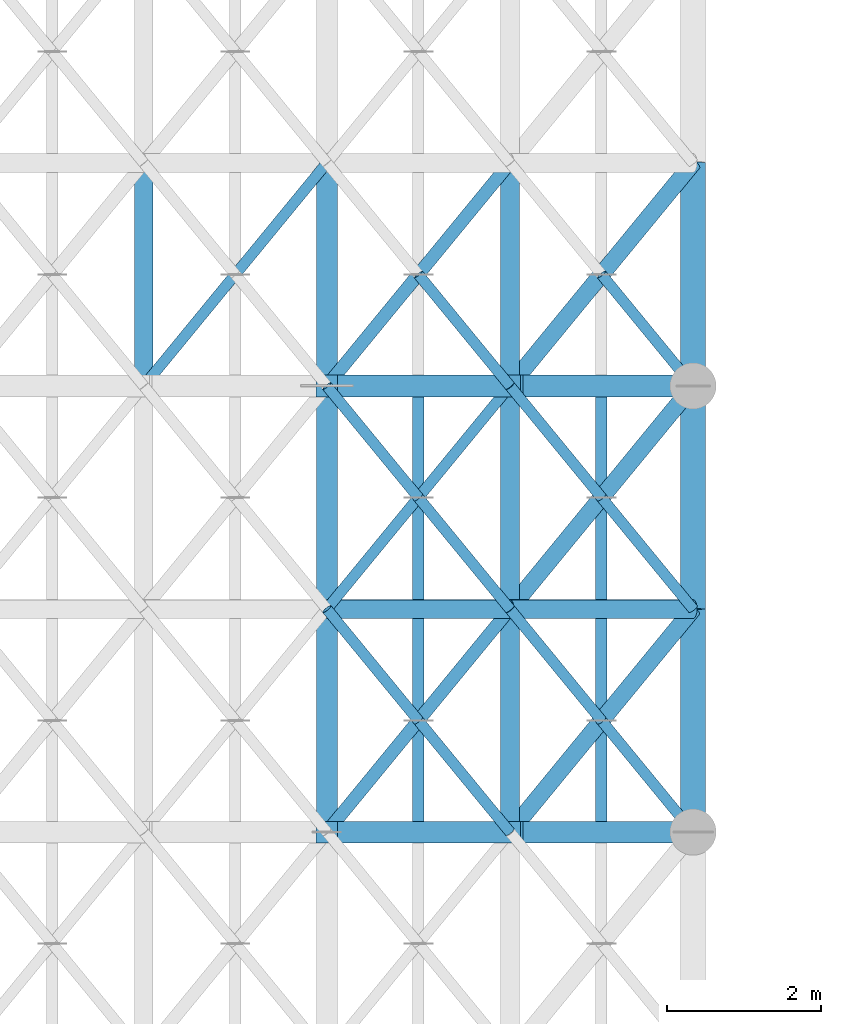
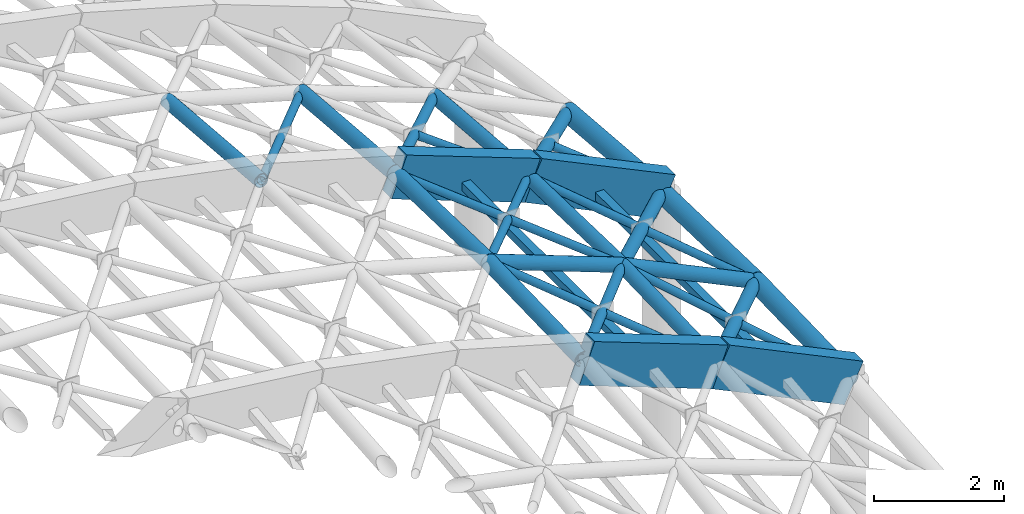
# One storey, part 43 of 146: 31 members, 4 beams.
"""IFC4 building model written with IfcOpenShell, lengths in metres."""

from ifc_helpers import new_model, si_unit, direction, frame, origin, origin_2d, place, context, subcontext, project, spatial, rectangle, hollow_rectangle, hollow_circle, extrude, material, material_profile, profile_set, type_object, element, save


model = new_model("IFC4")

# Units and contexts
model_context = context("Model", 3, precision=1e-05, world=origin(), true_north=direction((0.0, 1.0)))
body_context = subcontext(model_context, "Body", "Model", "MODEL_VIEW")
ifc_project = project(units=[si_unit("LENGTHUNIT", "METRE"), si_unit("AREAUNIT", "SQUARE_METRE"), si_unit("VOLUMEUNIT", "CUBIC_METRE"), si_unit("PLANEANGLEUNIT", "RADIAN"), si_unit("MASSUNIT", "GRAM", prefix="KILO")], contexts=[model_context])

# Site, building, storey
site_placement = place(None, origin())
site = spatial("IfcSite", under=ifc_project, at=site_placement, CompositionType="ELEMENT")
building_placement = place(site_placement, origin())
building = spatial("IfcBuilding", under=site, at=building_placement, Name="Valcora Specialist Clinic", CompositionType="ELEMENT")
storey_placement = place(building_placement, frame((0.0, 0.0, 9.52001953125)))
storey = spatial("IfcBuildingStorey", under=building, at=storey_placement, Name="L02", CompositionType="ELEMENT", Elevation=9.52001953125)

# Beams
ifc_material_1 = material(Name="Glulam Conifer Class 24F", Category="wood")
ifc_material_profile_1 = material_profile(ifc_material_1, rectangle(XDim=0.280029296875, YDim=0.780029296875, at=origin_2d()), Name="GL-ARC-280X780")
ifc_profile_set_1 = profile_set([ifc_material_profile_1], Name="Glulam Conifer Class 24F")
beam_type = type_object("IfcBeamType", Name="TY-AR-GL780", PredefinedType="JOIST", material=ifc_profile_set_1)
beam_1_placement = place(storey_placement, frame((24.5, 56.10693359375, 6.79248046875), z_axis=(0.935695204238, 0.0, -0.352809417059), x_axis=(0.0, 1.0, 0.0)))
element("IfcBeam", 1, at=beam_1_placement, inside=storey, type_object=beam_type, Name="Gridshell glulam arch chord BM-GSA-047", PredefinedType="JOIST", context=body_context, shape_type="SweptSolid", body=[
    extrude(rectangle(XDim=0.280029296875, YDim=0.780029296875, at=origin_2d()), origin(), (0.0, 0.0, 1.0), 2.538330078125),
])
beam_2_placement = place(storey_placement, frame((26.875, 56.10693359375, 5.89697265625), z_axis=(0.902189145818, 0.0, -0.431340637048), x_axis=(0.0, 1.0, 0.0)))
element("IfcBeam", 2, at=beam_2_placement, inside=storey, type_object=beam_type, Name="Gridshell glulam arch chord BM-GSA-048", PredefinedType="JOIST", context=body_context, shape_type="SweptSolid", body=[
    extrude(rectangle(XDim=0.280029296875, YDim=0.780029296875, at=origin_2d()), origin(), (0.0, 0.0, 1.0), 2.632568359375),
])
beam_3_placement = place(storey_placement, frame((24.5, 61.89306640625, 6.79248046875), z_axis=(0.935695204238, 0.0, -0.352809417059), x_axis=(0.0, 1.0, 0.0)))
element("IfcBeam", 3, at=beam_3_placement, inside=storey, type_object=beam_type, Name="Gridshell glulam arch chord BM-GSA-059", PredefinedType="JOIST", context=body_context, shape_type="SweptSolid", body=[
    extrude(rectangle(XDim=0.280029296875, YDim=0.780029296875, at=origin_2d()), origin(), (0.0, 0.0, 1.0), 2.538330078125),
])
beam_4_placement = place(storey_placement, frame((26.875, 61.89306640625, 5.89697265625), z_axis=(0.902189145818, 0.0, -0.431340637048), x_axis=(0.0, 1.0, 0.0)))
element("IfcBeam", 4, at=beam_4_placement, inside=storey, type_object=beam_type, Name="Gridshell glulam arch chord BM-GSA-060", PredefinedType="JOIST", context=body_context, shape_type="SweptSolid", body=[
    extrude(rectangle(XDim=0.280029296875, YDim=0.780029296875, at=origin_2d()), origin(), (0.0, 0.0, 1.0), 2.632568359375),
])

# Members
ifc_material_2 = material(Name="Steel ASTM A500 Grade C", Category="steel")
ifc_material_profile_2 = material_profile(ifc_material_2, hollow_circle(Radius=0.1220703125, WallThickness=0.010009765625, at=origin_2d()), Name="ST-CHS-244X10")
ifc_profile_set_2 = profile_set([ifc_material_profile_2], Name="Steel ASTM A500 Grade C")
member_type_1 = type_object("IfcMemberType", Name="TY-MB-GSC244", PredefinedType="CHORD", material=ifc_profile_set_2)
member_1_placement = place(storey_placement, frame((22.125, 61.89306640625, 7.47021484375), z_axis=(0.0, 0.99650678891, -0.083511793517), x_axis=(-1.0, 0.0, 0.0)))
element("IfcMember", 5, at=member_1_placement, inside=storey, type_object=member_type_1, Name="Gridshell longitudinal chord MB-L02-0135", PredefinedType="CHORD", context=body_context, shape_type="SweptSolid", body=[
    extrude(hollow_circle(Radius=0.1220703125, WallThickness=0.010009765625, at=origin_2d()), origin(), (0.0, 0.0, 1.0), 2.903076171875),
])
for number, where, z_axis, x_axis, name in (
    (6, (26.875, 56.10693359375, 5.89697265625), (0.0, 0.999614810788, 0.027753018797), (-1.0, 0.0, 0.0), "Gridshell longitudinal chord MB-L02-0161"),
    (7, (26.875, 59.0, 5.977294921875), (0.0, 0.999614810788, -0.027753018797), (-1.0, 0.0, 0.0), "Gridshell longitudinal chord MB-L02-0162"),
):
    element("IfcMember", number, at=place(storey_placement, frame(where, z_axis=z_axis, x_axis=x_axis)), inside=storey, type_object=member_type_1, Name=name, PredefinedType="CHORD", context=body_context, shape_type="SweptSolid", body=[
        extrude(hollow_circle(Radius=0.1220703125, WallThickness=0.010009765625, at=origin_2d()), origin(), (0.0, 0.0, 1.0), 2.894287109375),
    ])
member_2_placement = place(storey_placement, frame((26.875, 61.89306640625, 5.89697265625), z_axis=(0.0, 0.99650678891, -0.083511793517), x_axis=(-1.0, 0.0, 0.0)))
element("IfcMember", 8, at=member_2_placement, inside=storey, type_object=member_type_1, Name="Gridshell longitudinal chord MB-L02-0163", PredefinedType="CHORD", context=body_context, shape_type="SweptSolid", body=[
    extrude(hollow_circle(Radius=0.1220703125, WallThickness=0.010009765625, at=origin_2d()), origin(), (0.0, 0.0, 1.0), 2.903076171875),
])
member_3_placement = place(storey_placement, frame((24.5, 59.0, 6.873046875), z_axis=(0.935663448479, 0.0, -0.352893625871), x_axis=(0.0, 1.0, 0.0)))
element("IfcMember", 9, at=member_3_placement, inside=storey, type_object=member_type_1, Name="Gridshell secondary transverse chord MB-L02-0313", PredefinedType="CHORD", context=body_context, shape_type="SweptSolid", body=[
    extrude(hollow_circle(Radius=0.1220703125, WallThickness=0.010009765625, at=origin_2d()), origin(), (0.0, 0.0, 1.0), 2.538330078125),
])
member_4_placement = place(storey_placement, frame((26.875, 59.0, 5.977294921875), z_axis=(0.902225234529, 0.0, -0.431265146028), x_axis=(0.0, 1.0, 0.0)))
element("IfcMember", 10, at=member_4_placement, inside=storey, type_object=member_type_1, Name="Gridshell secondary transverse chord MB-L02-0314", PredefinedType="CHORD", context=body_context, shape_type="SweptSolid", body=[
    extrude(hollow_circle(Radius=0.1220703125, WallThickness=0.010009765625, at=origin_2d()), origin(), (0.0, 0.0, 1.0), 2.63232421875),
])
ifc_material_profile_3 = material_profile(ifc_material_2, hollow_circle(Radius=0.136474609375, WallThickness=0.011962890625, at=origin_2d()), Name="ST-CHS-273X12")
ifc_profile_set_3 = profile_set([ifc_material_profile_3], Name="Steel ASTM A500 Grade C")
member_type_2 = type_object("IfcMemberType", Name="TY-MB-GSC273", PredefinedType="CHORD", material=ifc_profile_set_3)
for number, where, z_axis, x_axis, name in (
    (11, (24.5, 56.10693359375, 6.79248046875), (0.0, 0.999612467017, 0.027837309208), (-1.0, 0.0, 0.0), "Gridshell longitudinal chord MB-L02-0147"),
    (12, (24.5, 59.0, 6.873046875), (0.0, 0.999612467017, -0.027837309208), (-1.0, 0.0, 0.0), "Gridshell longitudinal chord MB-L02-0148"),
):
    element("IfcMember", number, at=place(storey_placement, frame(where, z_axis=z_axis, x_axis=x_axis)), inside=storey, type_object=member_type_2, Name=name, PredefinedType="CHORD", context=body_context, shape_type="SweptSolid", body=[
        extrude(hollow_circle(Radius=0.136474609375, WallThickness=0.011962890625, at=origin_2d()), origin(), (0.0, 0.0, 1.0), 2.894287109375),
    ])
member_5_placement = place(storey_placement, frame((24.5, 61.89306640625, 6.79248046875), z_axis=(0.0, 0.99650678891, -0.083511793517), x_axis=(-1.0, 0.0, 0.0)))
element("IfcMember", 13, at=member_5_placement, inside=storey, type_object=member_type_2, Name="Gridshell longitudinal chord MB-L02-0149", PredefinedType="CHORD", context=body_context, shape_type="SweptSolid", body=[
    extrude(hollow_circle(Radius=0.136474609375, WallThickness=0.011962890625, at=origin_2d()), origin(), (0.0, 0.0, 1.0), 2.903076171875),
])
ifc_material_profile_4 = material_profile(ifc_material_2, hollow_circle(Radius=0.162109375, WallThickness=0.011962890625, at=origin_2d()), Name="ST-CHS-324X12")
ifc_profile_set_4 = profile_set([ifc_material_profile_4], Name="Steel ASTM A500 Grade C")
member_type_3 = type_object("IfcMemberType", Name="TY-MB-GSC324", PredefinedType="CHORD", material=ifc_profile_set_4)
for number, where, z_axis, x_axis, name in (
    (14, (29.25, 56.10693359375, 4.761474609375), (0.0, 0.999612467017, 0.027837309208), (-1.0, 0.0, 0.0), "Gridshell longitudinal chord MB-L02-0175"),
    (15, (29.25, 59.0, 4.842041015625), (0.0, 0.999612467017, -0.027837309208), (-1.0, 0.0, 0.0), "Gridshell longitudinal chord MB-L02-0176"),
):
    element("IfcMember", number, at=place(storey_placement, frame(where, z_axis=z_axis, x_axis=x_axis)), inside=storey, type_object=member_type_3, Name=name, PredefinedType="CHORD", context=body_context, shape_type="SweptSolid", body=[
        extrude(hollow_circle(Radius=0.162109375, WallThickness=0.011962890625, at=origin_2d()), origin(), (0.0, 0.0, 1.0), 2.894287109375),
    ])
member_6_placement = place(storey_placement, frame((29.25, 61.89306640625, 4.761474609375), z_axis=(0.0, 0.996513784309, -0.083428278676), x_axis=(-1.0, 0.0, 0.0)))
element("IfcMember", 16, at=member_6_placement, inside=storey, type_object=member_type_3, Name="Gridshell longitudinal chord MB-L02-0177", PredefinedType="CHORD", context=body_context, shape_type="SweptSolid", body=[
    extrude(hollow_circle(Radius=0.162109375, WallThickness=0.011962890625, at=origin_2d()), origin(), (0.0, 0.0, 1.0), 2.90283203125),
])
ifc_material_profile_5 = material_profile(ifc_material_2, hollow_circle(Radius=0.070068359375, WallThickness=0.006103515625, at=origin_2d()), Name="ST-CHS-140X6")
ifc_profile_set_5 = profile_set([ifc_material_profile_5], Name="Steel ASTM A500 Grade C")
member_type_4 = type_object("IfcMemberType", Name="TY-MB-GSD140", PredefinedType="BRACE", material=ifc_profile_set_5)
member_7_placement = place(storey_placement, frame((22.125, 61.89306640625, 7.47021484375), z_axis=(0.616192355178, 0.750541037881, -0.238736532346), x_axis=(-0.772889622479, 0.634540488436, 0.0)))
element("IfcMember", 17, at=member_7_placement, inside=storey, type_object=member_type_4, Name="Gridshell primary diagrid MB-L02-0619", PredefinedType="BRACE", context=body_context, shape_type="SweptSolid", body=[
    extrude(hollow_circle(Radius=0.070068359375, WallThickness=0.006103515625, at=origin_2d()), origin(), (0.0, 0.0, 1.0), 3.854248046875),
])
member_8_placement = place(storey_placement, frame((26.875, 56.10693359375, 5.89697265625), z_axis=(-0.613995950127, 0.747928866057, 0.252212974579), x_axis=(-0.772915884105, -0.634508499626, 0.0)))
element("IfcMember", 18, at=member_8_placement, inside=storey, type_object=member_type_4, Name="Gridshell split counter diagrid A MB-L02-0644", PredefinedType="BRACE", context=body_context, shape_type="SweptSolid", body=[
    extrude(hollow_circle(Radius=0.070068359375, WallThickness=0.006103515625, at=origin_2d()), origin(), (0.0, 0.0, 1.0), 1.93408203125),
])
member_9_placement = place(storey_placement, frame((24.5, 59.0, 6.873046875), z_axis=(0.613976398055, 0.747905049028, -0.252331171816), x_axis=(-0.772915884105, 0.634508499626, 0.0)))
element("IfcMember", 19, at=member_9_placement, inside=storey, type_object=member_type_4, Name="Gridshell primary diagrid MB-L02-0645", PredefinedType="BRACE", context=body_context, shape_type="SweptSolid", body=[
    extrude(hollow_circle(Radius=0.070068359375, WallThickness=0.006103515625, at=origin_2d()), origin(), (0.0, 0.0, 1.0), 3.8681640625),
])
member_10_placement = place(storey_placement, frame((26.875, 59.0, 5.977294921875), z_axis=(-0.619967437755, 0.755202933531, 0.212858885907), x_axis=(-0.772915884105, -0.634508499626, 0.0)))
element("IfcMember", 20, at=member_10_placement, inside=storey, type_object=member_type_4, Name="Gridshell split counter diagrid A MB-L02-0646", PredefinedType="BRACE", context=body_context, shape_type="SweptSolid", body=[
    extrude(hollow_circle(Radius=0.070068359375, WallThickness=0.006103515625, at=origin_2d()), origin(), (0.0, 0.0, 1.0), 1.91552734375),
])
member_11_placement = place(storey_placement, frame((26.875, 61.89306640625, 5.89697265625), z_axis=(-0.625072556521, 0.761421648312, 0.171817847054), x_axis=(-0.772915884105, -0.634508499626, 0.0)))
element("IfcMember", 21, at=member_11_placement, inside=storey, type_object=member_type_4, Name="Gridshell split counter diagrid A MB-L02-0648", PredefinedType="BRACE", context=body_context, shape_type="SweptSolid", body=[
    extrude(hollow_circle(Radius=0.070068359375, WallThickness=0.006103515625, at=origin_2d()), origin(), (0.0, 0.0, 1.0), 1.899658203125),
])
member_12_placement = place(storey_placement, frame((29.25, 56.10693359375, 4.761474609375), z_axis=(-0.603471061066, 0.735108149017, 0.308931525916), x_axis=(-0.772915884105, -0.634508499626, 0.0)))
element("IfcMember", 22, at=member_12_placement, inside=storey, type_object=member_type_4, Name="Gridshell split counter diagrid A MB-L02-0672", PredefinedType="BRACE", context=body_context, shape_type="SweptSolid", body=[
    extrude(hollow_circle(Radius=0.070068359375, WallThickness=0.006103515625, at=origin_2d()), origin(), (0.0, 0.0, 1.0), 1.9677734375),
])
member_13_placement = place(storey_placement, frame((29.25, 59.0, 4.842041015625), z_axis=(-0.610727063693, 0.743946926888, 0.271211031574), x_axis=(-0.772915884105, -0.634508499626, 0.0)))
element("IfcMember", 23, at=member_13_placement, inside=storey, type_object=member_type_4, Name="Gridshell split counter diagrid A MB-L02-0674", PredefinedType="BRACE", context=body_context, shape_type="SweptSolid", body=[
    extrude(hollow_circle(Radius=0.070068359375, WallThickness=0.006103515625, at=origin_2d()), origin(), (0.0, 0.0, 1.0), 1.9443359375),
])
member_14_placement = place(storey_placement, frame((29.25, 61.89306640625, 4.761474609375), z_axis=(-0.61718453066, 0.751812981941, 0.232078640333), x_axis=(-0.772915884105, -0.634508499626, 0.0)))
element("IfcMember", 24, at=member_14_placement, inside=storey, type_object=member_type_4, Name="Gridshell split counter diagrid A MB-L02-0676", PredefinedType="BRACE", context=body_context, shape_type="SweptSolid", body=[
    extrude(hollow_circle(Radius=0.070068359375, WallThickness=0.006103515625, at=origin_2d()), origin(), (0.0, 0.0, 1.0), 1.924072265625),
])
member_15_placement = place(storey_placement, frame((25.6875, 57.553466796875, 6.384765625), z_axis=(-0.613956838068, 0.747881222359, 0.252449357758), x_axis=(-0.772915884105, -0.634508499626, 0.0)))
element("IfcMember", 25, at=member_15_placement, inside=storey, type_object=member_type_4, Name="Gridshell split counter diagrid B 147", PredefinedType="BRACE", context=body_context, shape_type="SweptSolid", body=[
    extrude(hollow_circle(Radius=0.070068359375, WallThickness=0.006103515625, at=origin_2d()), origin(), (0.0, 0.0, 1.0), 1.93408203125),
])
member_16_placement = place(storey_placement, frame((25.6875, 60.446533203125, 6.385009765625), z_axis=(-0.61998425379, 0.755223417702, 0.212737195636), x_axis=(-0.772915884105, -0.634508499626, 0.0)))
element("IfcMember", 26, at=member_16_placement, inside=storey, type_object=member_type_4, Name="Gridshell split counter diagrid B 148", PredefinedType="BRACE", context=body_context, shape_type="SweptSolid", body=[
    extrude(hollow_circle(Radius=0.070068359375, WallThickness=0.006103515625, at=origin_2d()), origin(), (0.0, 0.0, 1.0), 1.915283203125),
])
member_17_placement = place(storey_placement, frame((28.0625, 57.553466796875, 5.369384765625), z_axis=(-0.603471061066, 0.735108149017, 0.308931525916), x_axis=(-0.772915884105, -0.634508499626, 0.0)))
element("IfcMember", 27, at=member_17_placement, inside=storey, type_object=member_type_4, Name="Gridshell split counter diagrid B 161", PredefinedType="BRACE", context=body_context, shape_type="SweptSolid", body=[
    extrude(hollow_circle(Radius=0.070068359375, WallThickness=0.006103515625, at=origin_2d()), origin(), (0.0, 0.0, 1.0), 1.9677734375),
])
member_18_placement = place(storey_placement, frame((28.0625, 60.446533203125, 5.369384765625), z_axis=(-0.610706262586, 0.743921588368, 0.271327350627), x_axis=(-0.772915884105, -0.634508499626, 0.0)))
element("IfcMember", 28, at=member_18_placement, inside=storey, type_object=member_type_4, Name="Gridshell split counter diagrid B 162", PredefinedType="BRACE", context=body_context, shape_type="SweptSolid", body=[
    extrude(hollow_circle(Radius=0.070068359375, WallThickness=0.006103515625, at=origin_2d()), origin(), (0.0, 0.0, 1.0), 1.944580078125),
])
ifc_material_profile_6 = material_profile(ifc_material_2, hollow_circle(Radius=0.083984375, WallThickness=0.008056640625, at=origin_2d()), Name="ST-CHS-168X8")
ifc_profile_set_6 = profile_set([ifc_material_profile_6], Name="Steel ASTM A500 Grade C")
member_type_5 = type_object("IfcMemberType", Name="TY-MB-GSD168", PredefinedType="BRACE", material=ifc_profile_set_6)
member_19_placement = place(storey_placement, frame((24.5, 56.10693359375, 6.79248046875), z_axis=(0.61997584686, 0.755213176942, -0.212798042009), x_axis=(-0.772915884105, 0.634508499626, 0.0)))
element("IfcMember", 29, at=member_19_placement, inside=storey, type_object=member_type_5, Name="Gridshell primary diagrid MB-L02-0643", PredefinedType="BRACE", context=body_context, shape_type="SweptSolid", body=[
    extrude(hollow_circle(Radius=0.083984375, WallThickness=0.008056640625, at=origin_2d()), origin(), (0.0, 0.0, 1.0), 3.830810546875),
])
member_20_placement = place(storey_placement, frame((24.5, 61.89306640625, 6.79248046875), z_axis=(0.607102216571, 0.739468972466, -0.29088234287), x_axis=(-0.772889622479, 0.634540488436, 0.0)))
element("IfcMember", 30, at=member_20_placement, inside=storey, type_object=member_type_5, Name="Gridshell primary diagrid MB-L02-0647", PredefinedType="BRACE", context=body_context, shape_type="SweptSolid", body=[
    extrude(hollow_circle(Radius=0.083984375, WallThickness=0.008056640625, at=origin_2d()), origin(), (0.0, 0.0, 1.0), 3.912109375),
])
ifc_material_profile_7 = material_profile(ifc_material_2, hollow_circle(Radius=0.109619140625, WallThickness=0.010009765625, at=origin_2d()), Name="ST-CHS-219X10")
ifc_profile_set_7 = profile_set([ifc_material_profile_7], Name="Steel ASTM A500 Grade C")
member_type_6 = type_object("IfcMemberType", Name="TY-MB-GSD219", PredefinedType="BRACE", material=ifc_profile_set_7)
member_21_placement = place(storey_placement, frame((26.875, 56.10693359375, 5.89697265625), z_axis=(0.610716664077, 0.74393425877, -0.271269192586), x_axis=(-0.772915884105, 0.634508499626, 0.0)))
element("IfcMember", 31, at=member_21_placement, inside=storey, type_object=member_type_6, Name="Gridshell primary diagrid MB-L02-0671", PredefinedType="BRACE", context=body_context, shape_type="SweptSolid", body=[
    extrude(hollow_circle(Radius=0.109619140625, WallThickness=0.010009765625, at=origin_2d()), origin(), (0.0, 0.0, 1.0), 3.888916015625),
])
member_22_placement = place(storey_placement, frame((26.875, 59.0, 5.977294921875), z_axis=(0.603471061066, 0.735108149017, -0.308931525916), x_axis=(-0.772915884105, 0.634508499626, 0.0)))
element("IfcMember", 32, at=member_22_placement, inside=storey, type_object=member_type_6, Name="Gridshell primary diagrid MB-L02-0673", PredefinedType="BRACE", context=body_context, shape_type="SweptSolid", body=[
    extrude(hollow_circle(Radius=0.109619140625, WallThickness=0.010009765625, at=origin_2d()), origin(), (0.0, 0.0, 1.0), 3.935546875),
])
member_23_placement = place(storey_placement, frame((26.875, 61.89306640625, 5.89697265625), z_axis=(0.59548196346, 0.7253151506, -0.345426060835), x_axis=(-0.772889622479, 0.634540488436, 0.0)))
element("IfcMember", 33, at=member_23_placement, inside=storey, type_object=member_type_6, Name="Gridshell primary diagrid MB-L02-0675", PredefinedType="BRACE", context=body_context, shape_type="SweptSolid", body=[
    extrude(hollow_circle(Radius=0.109619140625, WallThickness=0.010009765625, at=origin_2d()), origin(), (0.0, 0.0, 1.0), 3.98828125),
])
ifc_material_profile_8 = material_profile(ifc_material_2, hollow_rectangle(XDim=0.14990234375, YDim=0.14990234375, WallThickness=0.006103515625, at=origin_2d()), Name="ST-RHS-150X150X6")
ifc_profile_set_8 = profile_set([ifc_material_profile_8], Name="Steel ASTM A500 Grade C")
member_type_7 = type_object("IfcMemberType", Name="TY-MB-PR150", PredefinedType="PURLIN", material=ifc_profile_set_8)
for number, where, z_axis, x_axis, name in (
    (34, (25.68798828125, 56.10693359375, 6.224609375), (0.0, 1.0, 0.0), (-1.0, 0.0, 0.0), "Gridshell secondary purlin MB-L02-0256"),
    (35, (28.06201171875, 56.10693359375, 5.209228515625), (0.0, 1.0, 0.0), (-1.0, 0.0, 0.0), "Gridshell secondary purlin MB-L02-0263"),
):
    element("IfcMember", number, at=place(storey_placement, frame(where, z_axis=z_axis, x_axis=x_axis)), inside=storey, type_object=member_type_7, Name=name, PredefinedType="PURLIN", context=body_context, shape_type="SweptSolid", body=[
        extrude(hollow_rectangle(XDim=0.14990234375, YDim=0.14990234375, WallThickness=0.006103515625, at=origin_2d()), origin(), (0.0, 0.0, 1.0), 5.7861328125),
    ])

save(model, "model.ifc")
